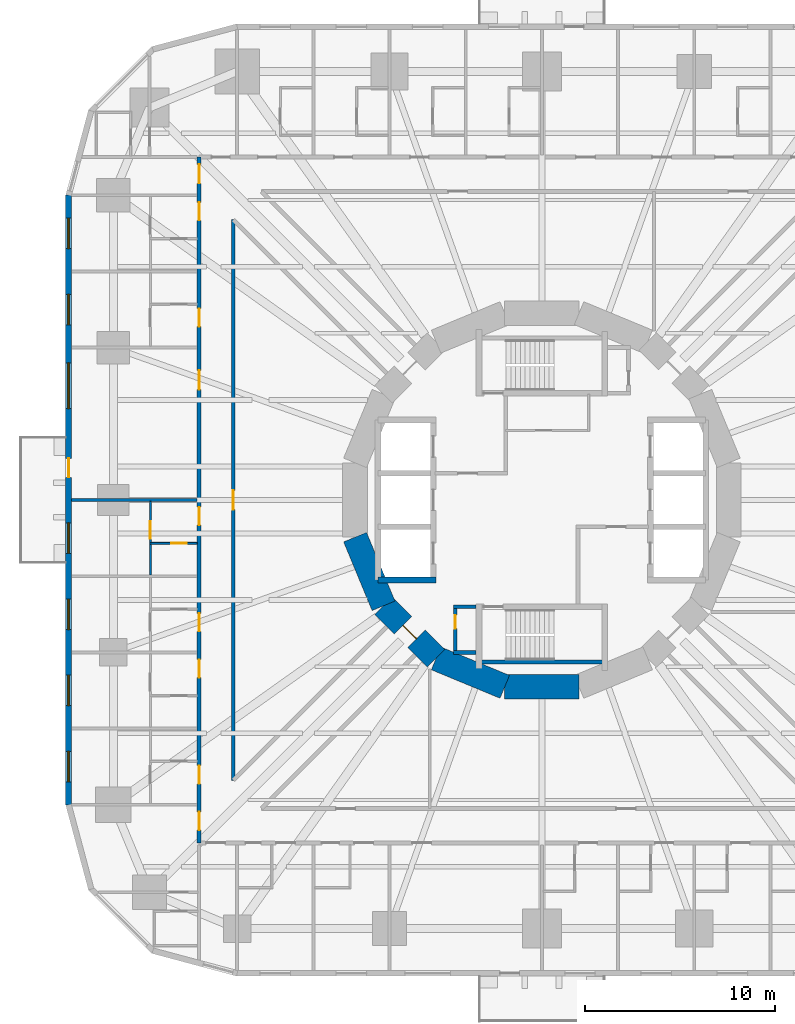
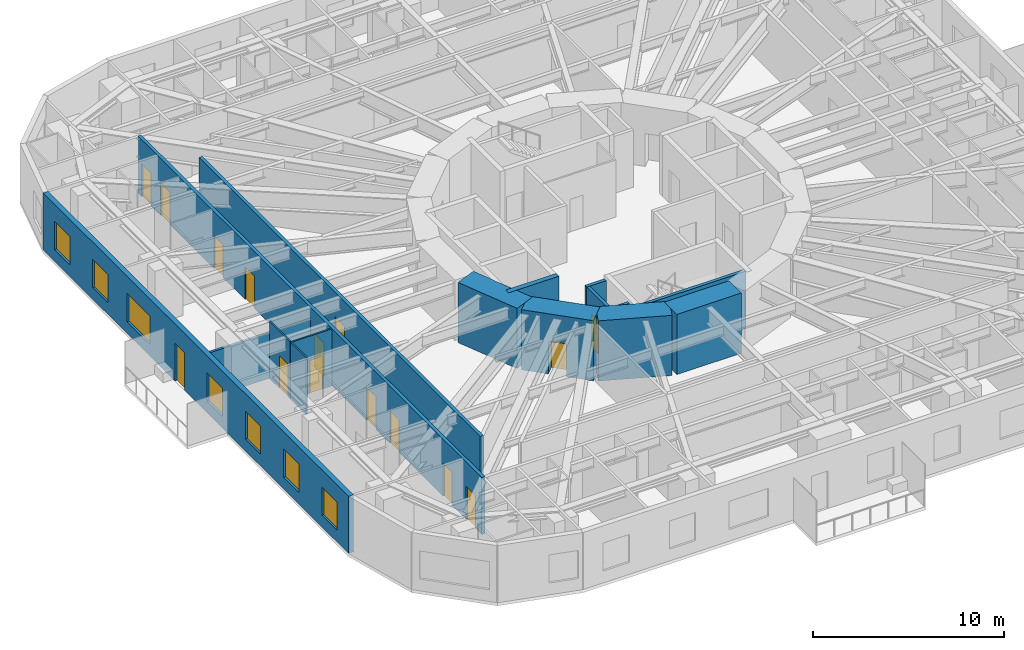
# One storey, part 6 of 14: 16 walls, 15 doors, 7 windows, 22 openings.
"""IFC4 building model written with IfcOpenShell, lengths in metres."""

from ifc_helpers import new_model, si_unit, direction, frame, frame_2d, origin, place, context, subcontext, project, spatial, rectangle, extrude, material, layer, layer_set, type_object, element, fill, save


model = new_model("IFC4")

# Units and contexts
model_context = context("Model", 3, precision=1e-05, world=origin(), true_north=direction((0.0, 1.0)))
body_context = subcontext(model_context, "Body", "Model", "MODEL_VIEW")
ifc_project = project(units=[si_unit("LENGTHUNIT", "METRE"), si_unit("AREAUNIT", "SQUARE_METRE"), si_unit("VOLUMEUNIT", "CUBIC_METRE"), si_unit("PLANEANGLEUNIT", "RADIAN"), si_unit("MASSUNIT", "GRAM", prefix="KILO")], contexts=[model_context])

# Site, building, storey
site_placement = place(None, origin())
site = spatial("IfcSite", under=ifc_project, at=site_placement, CompositionType="ELEMENT")
building_placement = place(site_placement, origin())
building = spatial("IfcBuilding", under=site, at=building_placement, Name="Nakasero Lantern House", CompositionType="ELEMENT")
storey_placement = place(building_placement, frame((0.0, 0.0, 50.64990234375)))
storey = spatial("IfcBuildingStorey", under=building, at=storey_placement, Name="L12", CompositionType="ELEMENT", Elevation=50.64990234375)

# Walls
ifc_material_1 = material(Name="Concrete C50/60", Category="concrete")
ifc_layer_1 = layer(ifc_material_1, 0.300048828125)
ifc_layer_set_1 = layer_set([ifc_layer_1], Name="Core inner wall 300")
wall_type_1 = type_object("IfcWallType", Name="Core inner wall 300", PredefinedType="SHEAR", material=ifc_layer_set_1)
wall_1_placement = place(storey_placement, frame((-8.60009765625, -4.199951171875, 0.0), z_axis=(0.0, 0.0, 1.0), x_axis=(1.0, 0.0, 0.0)))
element("IfcWall", 1, at=wall_1_placement, inside=storey, type_object=wall_type_1, Name="Core inner wall L12 LWS", PredefinedType="SHEAR", context=body_context, shape_type="SweptSolid", body=[
    extrude(rectangle(XDim=3.050048828125, YDim=0.300048828125, at=frame_2d((1.52490234375, 0.0))), origin(), (0.0, 0.0, 1.0), 3.85009765625),
])
ifc_material_2 = material(Name="Concrete C50/60", Category="concrete")
ifc_layer_2 = layer(ifc_material_2, 1.300048828125)
ifc_layer_set_2 = layer_set([ifc_layer_2], Name="Core wall 1300")
wall_type_2 = type_object("IfcWallType", Name="Core wall 1300", PredefinedType="SHEAR", material=ifc_layer_set_2)
wall_2_placement = place(storey_placement, frame((-9.807861328125, -1.950927734375, 0.0), z_axis=(0.0, 0.0, 1.0), x_axis=(0.382690736062, -0.923876507187, 0.0)))
element("IfcWall", 2, at=wall_2_placement, inside=storey, type_object=wall_type_2, Name="Core wall L12 facet 9", PredefinedType="SHEAR", context=body_context, shape_type="SweptSolid", body=[
    extrude(rectangle(XDim=3.90185546875, YDim=1.300048828125, at=frame_2d((1.950927734375, 0.0))), origin(), (0.0, 0.0, 1.0), 3.85009765625),
])

# Wall, opening, door
wall_3_placement = place(storey_placement, frame((-8.314697265625, -5.5556640625, 0.0), z_axis=(0.0, 0.0, 1.0), x_axis=(0.707106781187, -0.707106781187, 0.0)))
wall_3 = element("IfcWall", 3, at=wall_3_placement, inside=storey, type_object=wall_type_2, Name="Core wall L12 facet 10", PredefinedType="SHEAR", context=body_context, shape_type="SweptSolid", body=[
    extrude(rectangle(XDim=3.90185546875, YDim=1.300048828125, at=frame_2d((1.950927734375, 0.0))), origin(), (0.0, 0.0, 1.0), 3.85009765625),
])
opening_1_placement = place(wall_3_placement, frame((1.450927734375, 0.0, 0.0)))
opening_1 = element("IfcOpeningElement", 4, at=opening_1_placement, cuts=wall_3, Name="Opening D05", PredefinedType="OPENING", context=body_context, shape_type="SweptSolid", body=[
    extrude(rectangle(XDim=1.0, YDim=2.10009765625, at=frame_2d((0.5, 1.050048828125))), frame((0.0, 0.669921875, 0.0), z_axis=(0.0, -1.0, 0.0), x_axis=(1.0, 0.0, 0.0)), (0.0, 0.0, 1.0), 1.340087890625),
])
ifc_material_3 = material(Name="Timber C24", Category="wood")
door_type_1 = type_object("IfcDoorType", Name="Core door FD60S 1000", OperationType="SINGLE_SWING_LEFT", PredefinedType="DOOR", material=ifc_material_3)
door_1_placement = place(opening_1_placement, origin())
door_1 = element("IfcDoor", 5, at=door_1_placement, inside=storey, type_object=door_type_1, Name="Door L12 D-CORE10", OperationType="SINGLE_SWING_LEFT", OverallHeight=2.10009765625, OverallWidth=1.0, PredefinedType="DOOR", context=body_context, shape_type="SweptSolid", body=[
    extrude(rectangle(XDim=1.0, YDim=2.10009765625, at=frame_2d((0.5, 1.050048828125))), frame((0.0, 0.02490234375, 0.0), z_axis=(0.0, -1.0, 0.0), x_axis=(1.0, 0.0, 0.0)), (0.0, 0.0, 1.0), 0.050048828125),
])
fill(opening_1, door_1)

# Walls
for number, where, z_axis, x_axis, name in (
    (6, (-5.5556640625, -8.314697265625, 0.0), (0.0, 0.0, 1.0), (0.923876507187, -0.382690736062, 0.0), "Core wall L12 facet 11"),
    (7, (-1.950927734375, -9.807861328125, 0.0), (0.0, 0.0, 1.0), (1.0, 0.0, 0.0), "Core wall L12 facet 12"),
):
    element("IfcWall", number, at=place(storey_placement, frame(where, z_axis=z_axis, x_axis=x_axis)), inside=storey, type_object=wall_type_2, Name=name, PredefinedType="SHEAR", context=body_context, shape_type="SweptSolid", body=[
        extrude(rectangle(XDim=3.90185546875, YDim=1.300048828125, at=frame_2d((1.950927734375, 0.0))), origin(), (0.0, 0.0, 1.0), 3.85009765625),
    ])

# Wall, openings, doors
ifc_material_4 = material(Name="Blockwork", Category="masonry")
ifc_layer_3 = layer(ifc_material_4, 0.199951171875)
ifc_layer_set_3 = layer_set([ifc_layer_3], Name="Corridor wall 200")
wall_type_3 = type_object("IfcWallType", Name="Corridor wall 200", PredefinedType="PARTITIONING", material=ifc_layer_set_3)
wall_4_placement = place(storey_placement, frame((-18.0, 18.0, 0.0), z_axis=(0.0, 0.0, 1.0), x_axis=(0.0, -1.0, 0.0)))
wall_4 = element("IfcWall", 8, at=wall_4_placement, inside=storey, type_object=wall_type_3, Name="Corridor wall L12 CW2", PredefinedType="PARTITIONING", context=body_context, shape_type="SweptSolid", body=[
    extrude(rectangle(XDim=36.0, YDim=0.199951171875, at=frame_2d((18.0, 0.0))), origin(), (0.0, 0.0, 1.0), 3.650146484375),
])
opening_2_placement = place(wall_4_placement, frame((0.375, 0.0, 0.0)))
opening_2 = element("IfcOpeningElement", 9, at=opening_2_placement, cuts=wall_4, Name="Opening D07", PredefinedType="OPENING", context=body_context, shape_type="SweptSolid", body=[
    extrude(rectangle(XDim=1.0, YDim=2.10009765625, at=frame_2d((0.5, 1.050048828125))), frame((0.0, 0.119873046875, 0.0), z_axis=(0.0, -1.0, 0.0), x_axis=(1.0, 0.0, 0.0)), (0.0, 0.0, 1.0), 0.239990234375),
])
opening_3_placement = place(wall_4_placement, frame((2.375, 0.0, 0.0)))
opening_3 = element("IfcOpeningElement", 10, at=opening_3_placement, cuts=wall_4, Name="Opening D01", PredefinedType="OPENING", context=body_context, shape_type="SweptSolid", body=[
    extrude(rectangle(XDim=0.949951171875, YDim=2.10009765625, at=frame_2d((0.47509765625, 1.050048828125))), frame((0.0, 0.119873046875, 0.0), z_axis=(0.0, -1.0, 0.0), x_axis=(1.0, 0.0, 0.0)), (0.0, 0.0, 1.0), 0.239990234375),
])
opening_4_placement = place(wall_4_placement, frame((7.949951171875, 0.0, 0.0)))
opening_4 = element("IfcOpeningElement", 11, at=opening_4_placement, cuts=wall_4, Name="Opening D01", PredefinedType="OPENING", context=body_context, shape_type="SweptSolid", body=[
    extrude(rectangle(XDim=0.949951171875, YDim=2.10009765625, at=frame_2d((0.47509765625, 1.050048828125))), frame((0.0, 0.119873046875, 0.0), z_axis=(0.0, -1.0, 0.0), x_axis=(1.0, 0.0, 0.0)), (0.0, 0.0, 1.0), 0.239990234375),
])
opening_5_placement = place(wall_4_placement, frame((18.375, 0.0, 0.0)))
opening_5 = element("IfcOpeningElement", 12, at=opening_5_placement, cuts=wall_4, Name="Opening D01", PredefinedType="OPENING", context=body_context, shape_type="SweptSolid", body=[
    extrude(rectangle(XDim=0.949951171875, YDim=2.10009765625, at=frame_2d((0.47509765625, 1.050048828125))), frame((0.0, 0.119873046875, 0.0), z_axis=(0.0, -1.0, 0.0), x_axis=(1.0, 0.0, 0.0)), (0.0, 0.0, 1.0), 0.239990234375),
])
opening_6_placement = place(wall_4_placement, frame((23.949951171875, 0.0, 0.0)))
opening_6 = element("IfcOpeningElement", 13, at=opening_6_placement, cuts=wall_4, Name="Opening D01", PredefinedType="OPENING", context=body_context, shape_type="SweptSolid", body=[
    extrude(rectangle(XDim=0.949951171875, YDim=2.10009765625, at=frame_2d((0.47509765625, 1.050048828125))), frame((0.0, 0.119873046875, 0.0), z_axis=(0.0, -1.0, 0.0), x_axis=(1.0, 0.0, 0.0)), (0.0, 0.0, 1.0), 0.239990234375),
])
opening_7_placement = place(wall_4_placement, frame((26.375, 0.0, 0.0)))
opening_7 = element("IfcOpeningElement", 14, at=opening_7_placement, cuts=wall_4, Name="Opening D01", PredefinedType="OPENING", context=body_context, shape_type="SweptSolid", body=[
    extrude(rectangle(XDim=0.949951171875, YDim=2.10009765625, at=frame_2d((0.47509765625, 1.050048828125))), frame((0.0, 0.119873046875, 0.0), z_axis=(0.0, -1.0, 0.0), x_axis=(1.0, 0.0, 0.0)), (0.0, 0.0, 1.0), 0.239990234375),
])
opening_8_placement = place(wall_4_placement, frame((31.949951171875, 0.0, 0.0)))
opening_8 = element("IfcOpeningElement", 15, at=opening_8_placement, cuts=wall_4, Name="Opening D01", PredefinedType="OPENING", context=body_context, shape_type="SweptSolid", body=[
    extrude(rectangle(XDim=0.949951171875, YDim=2.10009765625, at=frame_2d((0.47509765625, 1.050048828125))), frame((0.0, 0.119873046875, 0.0), z_axis=(0.0, -1.0, 0.0), x_axis=(1.0, 0.0, 0.0)), (0.0, 0.0, 1.0), 0.239990234375),
])
opening_9_placement = place(wall_4_placement, frame((34.375, 0.0, 0.0)))
opening_9 = element("IfcOpeningElement", 16, at=opening_9_placement, cuts=wall_4, Name="Opening D01", PredefinedType="OPENING", context=body_context, shape_type="SweptSolid", body=[
    extrude(rectangle(XDim=0.949951171875, YDim=2.10009765625, at=frame_2d((0.47509765625, 1.050048828125))), frame((0.0, 0.119873046875, 0.0), z_axis=(0.0, -1.0, 0.0), x_axis=(1.0, 0.0, 0.0)), (0.0, 0.0, 1.0), 0.239990234375),
])
opening_10_placement = place(wall_4_placement, frame((11.199951171875, 0.0, 0.0)))
opening_10 = element("IfcOpeningElement", 17, at=opening_10_placement, cuts=wall_4, Name="Opening D03", PredefinedType="OPENING", context=body_context, shape_type="SweptSolid", body=[
    extrude(rectangle(XDim=1.0, YDim=2.10009765625, at=frame_2d((0.5, 1.050048828125))), frame((0.0, 0.119873046875, 0.0), z_axis=(0.0, -1.0, 0.0), x_axis=(1.0, 0.0, 0.0)), (0.0, 0.0, 1.0), 0.239990234375),
])
ifc_material_5 = material(Name="Timber C24", Category="wood")
door_type_2 = type_object("IfcDoorType", Name="Bedroom door FD30S 950", OperationType="SINGLE_SWING_LEFT", PredefinedType="DOOR", material=ifc_material_5)
door_2_placement = place(opening_3_placement, origin())
door_2 = element("IfcDoor", 18, at=door_2_placement, inside=storey, type_object=door_type_2, Name="Door L12 D2-01", OperationType="SINGLE_SWING_LEFT", OverallHeight=2.10009765625, OverallWidth=0.949951171875, PredefinedType="DOOR", context=body_context, shape_type="SweptSolid", body=[
    extrude(rectangle(XDim=0.949951171875, YDim=2.10009765625, at=frame_2d((0.47509765625, 1.050048828125))), frame((0.0, 0.02490234375, 0.0), z_axis=(0.0, -1.0, 0.0), x_axis=(1.0, 0.0, 0.0)), (0.0, 0.0, 1.0), 0.050048828125),
])
fill(opening_3, door_2)
door_3_placement = place(opening_4_placement, origin())
door_3 = element("IfcDoor", 19, at=door_3_placement, inside=storey, type_object=door_type_2, Name="Door L12 D2-02", OperationType="SINGLE_SWING_LEFT", OverallHeight=2.10009765625, OverallWidth=0.949951171875, PredefinedType="DOOR", context=body_context, shape_type="SweptSolid", body=[
    extrude(rectangle(XDim=0.949951171875, YDim=2.10009765625, at=frame_2d((0.47509765625, 1.050048828125))), frame((0.0, 0.02490234375, 0.0), z_axis=(0.0, -1.0, 0.0), x_axis=(1.0, 0.0, 0.0)), (0.0, 0.0, 1.0), 0.050048828125),
])
fill(opening_4, door_3)
door_4_placement = place(opening_5_placement, origin())
door_4 = element("IfcDoor", 20, at=door_4_placement, inside=storey, type_object=door_type_2, Name="Door L12 D2-05", OperationType="SINGLE_SWING_RIGHT", OverallHeight=2.10009765625, OverallWidth=0.949951171875, PredefinedType="DOOR", context=body_context, shape_type="SweptSolid", body=[
    extrude(rectangle(XDim=0.949951171875, YDim=2.10009765625, at=frame_2d((0.47509765625, 1.050048828125))), frame((0.0, 0.02490234375, 0.0), z_axis=(0.0, -1.0, 0.0), x_axis=(1.0, 0.0, 0.0)), (0.0, 0.0, 1.0), 0.050048828125),
])
fill(opening_5, door_4)
door_5_placement = place(opening_6_placement, origin())
door_5 = element("IfcDoor", 21, at=door_5_placement, inside=storey, type_object=door_type_2, Name="Door L12 D2-06", OperationType="SINGLE_SWING_RIGHT", OverallHeight=2.10009765625, OverallWidth=0.949951171875, PredefinedType="DOOR", context=body_context, shape_type="SweptSolid", body=[
    extrude(rectangle(XDim=0.949951171875, YDim=2.10009765625, at=frame_2d((0.47509765625, 1.050048828125))), frame((0.0, 0.02490234375, 0.0), z_axis=(0.0, -1.0, 0.0), x_axis=(1.0, 0.0, 0.0)), (0.0, 0.0, 1.0), 0.050048828125),
])
fill(opening_6, door_5)
door_6_placement = place(opening_7_placement, origin())
door_6 = element("IfcDoor", 22, at=door_6_placement, inside=storey, type_object=door_type_2, Name="Door L12 D2-07", OperationType="SINGLE_SWING_RIGHT", OverallHeight=2.10009765625, OverallWidth=0.949951171875, PredefinedType="DOOR", context=body_context, shape_type="SweptSolid", body=[
    extrude(rectangle(XDim=0.949951171875, YDim=2.10009765625, at=frame_2d((0.47509765625, 1.050048828125))), frame((0.0, 0.02490234375, 0.0), z_axis=(0.0, -1.0, 0.0), x_axis=(1.0, 0.0, 0.0)), (0.0, 0.0, 1.0), 0.050048828125),
])
fill(opening_7, door_6)
door_7_placement = place(opening_8_placement, origin())
door_7 = element("IfcDoor", 23, at=door_7_placement, inside=storey, type_object=door_type_2, Name="Door L12 D2-08", OperationType="SINGLE_SWING_RIGHT", OverallHeight=2.10009765625, OverallWidth=0.949951171875, PredefinedType="DOOR", context=body_context, shape_type="SweptSolid", body=[
    extrude(rectangle(XDim=0.949951171875, YDim=2.10009765625, at=frame_2d((0.47509765625, 1.050048828125))), frame((0.0, 0.02490234375, 0.0), z_axis=(0.0, -1.0, 0.0), x_axis=(1.0, 0.0, 0.0)), (0.0, 0.0, 1.0), 0.050048828125),
])
fill(opening_8, door_7)
door_8_placement = place(opening_9_placement, origin())
door_8 = element("IfcDoor", 24, at=door_8_placement, inside=storey, type_object=door_type_2, Name="Door L12 D2-09", OperationType="SINGLE_SWING_RIGHT", OverallHeight=2.10009765625, OverallWidth=0.949951171875, PredefinedType="DOOR", context=body_context, shape_type="SweptSolid", body=[
    extrude(rectangle(XDim=0.949951171875, YDim=2.10009765625, at=frame_2d((0.47509765625, 1.050048828125))), frame((0.0, 0.02490234375, 0.0), z_axis=(0.0, -1.0, 0.0), x_axis=(1.0, 0.0, 0.0)), (0.0, 0.0, 1.0), 0.050048828125),
])
fill(opening_9, door_8)
ifc_material_6 = material(Name="Timber C24", Category="wood")
door_type_3 = type_object("IfcDoorType", Name="Lounge door FD30S 1000", OperationType="SINGLE_SWING_LEFT", PredefinedType="DOOR", material=ifc_material_6)
door_9_placement = place(opening_10_placement, origin())
door_9 = element("IfcDoor", 25, at=door_9_placement, inside=storey, type_object=door_type_3, Name="Door L12 DK2", OperationType="SINGLE_SWING_LEFT", OverallHeight=2.10009765625, OverallWidth=1.0, PredefinedType="DOOR", context=body_context, shape_type="SweptSolid", body=[
    extrude(rectangle(XDim=1.0, YDim=2.10009765625, at=frame_2d((0.5, 1.050048828125))), frame((0.0, 0.02490234375, 0.0), z_axis=(0.0, -1.0, 0.0), x_axis=(1.0, 0.0, 0.0)), (0.0, 0.0, 1.0), 0.050048828125),
])
fill(opening_10, door_9)
ifc_material_7 = material(Name="Timber C24", Category="wood")
door_type_4 = type_object("IfcDoorType", Name="Room door FD30S 1000", OperationType="SINGLE_SWING_LEFT", PredefinedType="DOOR", material=ifc_material_7)
door_10_placement = place(opening_2_placement, origin())
door_10 = element("IfcDoor", 26, at=door_10_placement, inside=storey, type_object=door_type_4, Name="Door L12 D2-00", OperationType="SINGLE_SWING_LEFT", OverallHeight=2.10009765625, OverallWidth=1.0, PredefinedType="DOOR", context=body_context, shape_type="SweptSolid", body=[
    extrude(rectangle(XDim=1.0, YDim=2.10009765625, at=frame_2d((0.5, 1.050048828125))), frame((0.0, 0.02490234375, 0.0), z_axis=(0.0, -1.0, 0.0), x_axis=(1.0, 0.0, 0.0)), (0.0, 0.0, 1.0), 0.050048828125),
])
fill(opening_2, door_10)

# Wall, opening, door
wall_5_placement = place(storey_placement, frame((-16.199951171875, 14.715087890625, 0.0), z_axis=(0.0, 0.0, 1.0), x_axis=(0.0, -1.0, 0.0)))
wall_5 = element("IfcWall", 27, at=wall_5_placement, inside=storey, type_object=wall_type_3, Name="Corridor wall L12 IW2-0", PredefinedType="PARTITIONING", context=body_context, shape_type="SweptSolid", body=[
    extrude(rectangle(XDim=29.43017578125, YDim=0.199951171875, at=frame_2d((14.715087890625, 0.0))), origin(), (0.0, 0.0, 1.0), 3.650146484375),
])
opening_11_placement = place(wall_5_placement, frame((14.215087890625, 0.0, 0.0)))
opening_11 = element("IfcOpeningElement", 28, at=opening_11_placement, cuts=wall_5, Name="Opening D07", PredefinedType="OPENING", context=body_context, shape_type="SweptSolid", body=[
    extrude(rectangle(XDim=1.0, YDim=2.10009765625, at=frame_2d((0.5, 1.050048828125))), frame((0.0, 0.119873046875, 0.0), z_axis=(0.0, -1.0, 0.0), x_axis=(1.0, 0.0, 0.0)), (0.0, 0.0, 1.0), 0.239990234375),
])
door_11_placement = place(opening_11_placement, origin())
door_11 = element("IfcDoor", 29, at=door_11_placement, inside=storey, type_object=door_type_4, Name="Door L12 DI3", OperationType="SINGLE_SWING_LEFT", OverallHeight=2.10009765625, OverallWidth=1.0, PredefinedType="DOOR", context=body_context, shape_type="SweptSolid", body=[
    extrude(rectangle(XDim=1.0, YDim=2.10009765625, at=frame_2d((0.5, 1.050048828125))), frame((0.0, 0.02490234375, 0.0), z_axis=(0.0, -1.0, 0.0), x_axis=(1.0, 0.0, 0.0)), (0.0, 0.0, 1.0), 0.050048828125),
])
fill(opening_11, door_11)

ifc_material_8 = material(Name="Blockwork", Category="masonry")
ifc_layer_4 = layer(ifc_material_8, 0.10009765625)
ifc_layer_set_4 = layer_set([ifc_layer_4], Name="En-suite wall 100")
wall_type_4 = type_object("IfcWallType", Name="En-suite wall 100", PredefinedType="PARTITIONING", material=ifc_layer_set_4)
wall_6_placement = place(storey_placement, frame((-18.10009765625, -2.27490234375, 0.0), z_axis=(0.0, 0.0, 1.0), x_axis=(-1.0, 0.0, 0.0)))
wall_6 = element("IfcWall", 30, at=wall_6_placement, inside=storey, type_object=wall_type_4, Name="En-suite wall L12 ES2-05", PredefinedType="PARTITIONING", context=body_context, shape_type="SweptSolid", body=[
    extrude(rectangle(XDim=2.5, YDim=0.10009765625, at=frame_2d((1.25, 0.0))), origin(), (0.0, 0.0, 1.0), 3.650146484375),
])
opening_12_placement = place(wall_6_placement, frame((0.550048828125, 0.0, 0.0)))
opening_12 = element("IfcOpeningElement", 31, at=opening_12_placement, cuts=wall_6, Name="Opening D02", PredefinedType="OPENING", context=body_context, shape_type="SweptSolid", body=[
    extrude(rectangle(XDim=0.800048828125, YDim=2.10009765625, at=frame_2d((0.39990234375, 1.050048828125))), frame((0.0, 0.070068359375, 0.0), z_axis=(0.0, -1.0, 0.0), x_axis=(1.0, 0.0, 0.0)), (0.0, 0.0, 1.0), 0.14013671875),
])
ifc_material_9 = material(Name="Timber C24", Category="wood")
door_type_5 = type_object("IfcDoorType", Name="En-suite door 800", OperationType="SINGLE_SWING_RIGHT", PredefinedType="DOOR", material=ifc_material_9)
door_12_placement = place(opening_12_placement, origin())
door_12 = element("IfcDoor", 32, at=door_12_placement, inside=storey, type_object=door_type_5, Name="Door L12 DE2-05", OperationType="SINGLE_SWING_LEFT", OverallHeight=2.10009765625, OverallWidth=0.800048828125, PredefinedType="DOOR", context=body_context, shape_type="SweptSolid", body=[
    extrude(rectangle(XDim=0.800048828125, YDim=2.10009765625, at=frame_2d((0.39990234375, 1.050048828125))), frame((0.0, 0.02490234375, 0.0), z_axis=(0.0, -1.0, 0.0), x_axis=(1.0, 0.0, 0.0)), (0.0, 0.0, 1.0), 0.050048828125),
])
fill(opening_12, door_12)

# Wall
wall_7_placement = place(storey_placement, frame((-20.550048828125, -2.324951171875, 0.0), z_axis=(0.0, 0.0, 1.0), x_axis=(0.0, -1.0, 0.0)))
element("IfcWall", 33, at=wall_7_placement, inside=storey, type_object=wall_type_4, Name="En-suite wall L12 EE2-05", PredefinedType="PARTITIONING", context=body_context, shape_type="SweptSolid", body=[
    extrude(rectangle(XDim=1.60009765625, YDim=0.10009765625, at=frame_2d((0.800048828125, 0.0))), origin(), (0.0, 0.0, 1.0), 3.650146484375),
])

# Wall, opening, door
wall_8_placement = place(storey_placement, frame((-20.550048828125, -0.074951171875, 0.0), z_axis=(0.0, 0.0, 1.0), x_axis=(0.0, -1.0, 0.0)))
wall_8 = element("IfcWall", 34, at=wall_8_placement, inside=storey, type_object=wall_type_4, Name="En-suite wall L12 EL2-05", PredefinedType="PARTITIONING", context=body_context, shape_type="SweptSolid", body=[
    extrude(rectangle(XDim=2.150146484375, YDim=0.10009765625, at=frame_2d((1.0751953125, 0.0))), origin(), (0.0, 0.0, 1.0), 3.650146484375),
])
opening_13_placement = place(wall_8_placement, frame((1.050048828125, 0.0, 0.0)))
opening_13 = element("IfcOpeningElement", 35, at=opening_13_placement, cuts=wall_8, Name="Opening D17", PredefinedType="OPENING", context=body_context, shape_type="SweptSolid", body=[
    extrude(rectangle(XDim=0.89990234375, YDim=2.10009765625, at=frame_2d((0.449951171875, 1.050048828125))), frame((0.0, 0.070068359375, 0.0), z_axis=(0.0, -1.0, 0.0), x_axis=(1.0, 0.0, 0.0)), (0.0, 0.0, 1.0), 0.14013671875),
])
ifc_material_10 = material(Name="Timber C24", Category="wood")
door_type_6 = type_object("IfcDoorType", Name="Bedroom door FD30S 900", OperationType="SINGLE_SWING_LEFT", PredefinedType="DOOR", material=ifc_material_10)
door_13_placement = place(opening_13_placement, origin())
door_13 = element("IfcDoor", 36, at=door_13_placement, inside=storey, type_object=door_type_6, Name="Door L12 DL2-05", OperationType="SINGLE_SWING_RIGHT", OverallHeight=2.10009765625, OverallWidth=0.89990234375, PredefinedType="DOOR", context=body_context, shape_type="SweptSolid", body=[
    extrude(rectangle(XDim=0.89990234375, YDim=2.10009765625, at=frame_2d((0.449951171875, 1.050048828125))), frame((0.0, 0.02490234375, 0.0), z_axis=(0.0, -1.0, 0.0), x_axis=(1.0, 0.0, 0.0)), (0.0, 0.0, 1.0), 0.050048828125),
])
fill(opening_13, door_13)

# Wall, openings, door, windows
ifc_material_11 = material(Name="Aluminium rainscreen on blockwork", Category="masonry")
ifc_layer_5 = layer(ifc_material_11, 0.300048828125)
ifc_layer_set_5 = layer_set([ifc_layer_5], Name="Facade wall 300")
wall_type_5 = type_object("IfcWallType", Name="Facade wall 300", PredefinedType="SOLIDWALL", material=ifc_layer_set_5)
wall_9_placement = place(storey_placement, frame((-24.85009765625, 16.0, 0.0), z_axis=(0.0, 0.0, 1.0), x_axis=(0.0, -1.0, 0.0)))
wall_9 = element("IfcWall", 37, at=wall_9_placement, inside=storey, type_object=wall_type_5, Name="Facade wall L12 FW2S", PredefinedType="SOLIDWALL", context=body_context, shape_type="SweptSolid", body=[
    extrude(rectangle(XDim=32.0, YDim=0.300048828125, at=frame_2d((16.0, 0.0))), origin(), (0.0, 0.0, 1.0), 3.650146484375),
])
opening_14_placement = place(wall_9_placement, frame((1.199951171875, 0.0, 0.75)))
opening_14 = element("IfcOpeningElement", 38, at=opening_14_placement, cuts=wall_9, Name="Opening W01", PredefinedType="OPENING", context=body_context, shape_type="SweptSolid", body=[
    extrude(rectangle(XDim=1.60009765625, YDim=1.800048828125, at=frame_2d((0.800048828125, 0.89990234375))), frame((0.0, 0.169921875, 0.0), z_axis=(0.0, -1.0, 0.0), x_axis=(1.0, 0.0, 0.0)), (0.0, 0.0, 1.0), 0.340087890625),
])
opening_15_placement = place(wall_9_placement, frame((5.199951171875, 0.0, 0.75)))
opening_15 = element("IfcOpeningElement", 39, at=opening_15_placement, cuts=wall_9, Name="Opening W01", PredefinedType="OPENING", context=body_context, shape_type="SweptSolid", body=[
    extrude(rectangle(XDim=1.60009765625, YDim=1.800048828125, at=frame_2d((0.800048828125, 0.89990234375))), frame((0.0, 0.169921875, 0.0), z_axis=(0.0, -1.0, 0.0), x_axis=(1.0, 0.0, 0.0)), (0.0, 0.0, 1.0), 0.340087890625),
])
opening_16_placement = place(wall_9_placement, frame((17.199951171875, 0.0, 0.75)))
opening_16 = element("IfcOpeningElement", 40, at=opening_16_placement, cuts=wall_9, Name="Opening W01", PredefinedType="OPENING", context=body_context, shape_type="SweptSolid", body=[
    extrude(rectangle(XDim=1.60009765625, YDim=1.800048828125, at=frame_2d((0.800048828125, 0.89990234375))), frame((0.0, 0.169921875, 0.0), z_axis=(0.0, -1.0, 0.0), x_axis=(1.0, 0.0, 0.0)), (0.0, 0.0, 1.0), 0.340087890625),
])
opening_17_placement = place(wall_9_placement, frame((21.199951171875, 0.0, 0.75)))
opening_17 = element("IfcOpeningElement", 41, at=opening_17_placement, cuts=wall_9, Name="Opening W01", PredefinedType="OPENING", context=body_context, shape_type="SweptSolid", body=[
    extrude(rectangle(XDim=1.60009765625, YDim=1.800048828125, at=frame_2d((0.800048828125, 0.89990234375))), frame((0.0, 0.169921875, 0.0), z_axis=(0.0, -1.0, 0.0), x_axis=(1.0, 0.0, 0.0)), (0.0, 0.0, 1.0), 0.340087890625),
])
opening_18_placement = place(wall_9_placement, frame((25.199951171875, 0.0, 0.75)))
opening_18 = element("IfcOpeningElement", 42, at=opening_18_placement, cuts=wall_9, Name="Opening W01", PredefinedType="OPENING", context=body_context, shape_type="SweptSolid", body=[
    extrude(rectangle(XDim=1.60009765625, YDim=1.800048828125, at=frame_2d((0.800048828125, 0.89990234375))), frame((0.0, 0.169921875, 0.0), z_axis=(0.0, -1.0, 0.0), x_axis=(1.0, 0.0, 0.0)), (0.0, 0.0, 1.0), 0.340087890625),
])
opening_19_placement = place(wall_9_placement, frame((29.199951171875, 0.0, 0.75)))
opening_19 = element("IfcOpeningElement", 43, at=opening_19_placement, cuts=wall_9, Name="Opening W01", PredefinedType="OPENING", context=body_context, shape_type="SweptSolid", body=[
    extrude(rectangle(XDim=1.60009765625, YDim=1.800048828125, at=frame_2d((0.800048828125, 0.89990234375))), frame((0.0, 0.169921875, 0.0), z_axis=(0.0, -1.0, 0.0), x_axis=(1.0, 0.0, 0.0)), (0.0, 0.0, 1.0), 0.340087890625),
])
opening_20_placement = place(wall_9_placement, frame((8.800048828125, 0.0, 0.75)))
opening_20 = element("IfcOpeningElement", 44, at=opening_20_placement, cuts=wall_9, Name="Opening W03", PredefinedType="OPENING", context=body_context, shape_type="SweptSolid", body=[
    extrude(rectangle(XDim=2.39990234375, YDim=1.800048828125, at=frame_2d((1.199951171875, 0.89990234375))), frame((0.0, 0.169921875, 0.0), z_axis=(0.0, -1.0, 0.0), x_axis=(1.0, 0.0, 0.0)), (0.0, 0.0, 1.0), 0.340087890625),
])
opening_21_placement = place(wall_9_placement, frame((13.8125, 0.0, 0.0)))
opening_21 = element("IfcOpeningElement", 45, at=opening_21_placement, cuts=wall_9, Name="Opening D04", PredefinedType="OPENING", context=body_context, shape_type="SweptSolid", body=[
    extrude(rectangle(XDim=1.0, YDim=2.39990234375, at=frame_2d((0.5, 1.199951171875))), frame((0.0, 0.169921875, 0.0), z_axis=(0.0, -1.0, 0.0), x_axis=(1.0, 0.0, 0.0)), (0.0, 0.0, 1.0), 0.340087890625),
])
ifc_material_12 = material(Name="Aluminium 6063-T6 and glass", Category="aluminium")
door_type_7 = type_object("IfcDoorType", Name="Balcony door 1000x2400", OperationType="SINGLE_SWING_RIGHT", PredefinedType="DOOR", material=ifc_material_12)
door_14_placement = place(opening_21_placement, origin())
door_14 = element("IfcDoor", 46, at=door_14_placement, inside=storey, type_object=door_type_7, Name="Balcony door L12 DB2", OperationType="SINGLE_SWING_RIGHT", OverallHeight=2.39990234375, OverallWidth=1.0, PredefinedType="DOOR", context=body_context, shape_type="SweptSolid", body=[
    extrude(rectangle(XDim=1.0, YDim=2.39990234375, at=frame_2d((0.5, 1.199951171875))), frame((0.0, 0.02490234375, 0.0), z_axis=(0.0, -1.0, 0.0), x_axis=(1.0, 0.0, 0.0)), (0.0, 0.0, 1.0), 0.050048828125),
])
fill(opening_21, door_14)
ifc_material_13 = material(Name="Aluminium 6063-T6 and glass", Category="aluminium")
window_type_1 = type_object("IfcWindowType", Name="Bedroom window 1600x1800", PartitioningType="SINGLE_PANEL", PredefinedType="WINDOW", material=ifc_material_13)
window_1_placement = place(opening_14_placement, origin())
window_1 = element("IfcWindow", 47, at=window_1_placement, inside=storey, type_object=window_type_1, Name="Window L12 WN2-01", OverallHeight=1.800048828125, OverallWidth=1.60009765625, PartitioningType="SINGLE_PANEL", PredefinedType="WINDOW", context=body_context, shape_type="SweptSolid", body=[
    extrude(rectangle(XDim=1.60009765625, YDim=1.800048828125, at=frame_2d((0.800048828125, 0.89990234375))), frame((0.0, 0.030029296875, 0.0), z_axis=(0.0, -1.0, 0.0), x_axis=(1.0, 0.0, 0.0)), (0.0, 0.0, 1.0), 0.06005859375),
])
fill(opening_14, window_1)
window_2_placement = place(opening_15_placement, origin())
window_2 = element("IfcWindow", 48, at=window_2_placement, inside=storey, type_object=window_type_1, Name="Window L12 WN2-02", OverallHeight=1.800048828125, OverallWidth=1.60009765625, PartitioningType="SINGLE_PANEL", PredefinedType="WINDOW", context=body_context, shape_type="SweptSolid", body=[
    extrude(rectangle(XDim=1.60009765625, YDim=1.800048828125, at=frame_2d((0.800048828125, 0.89990234375))), frame((0.0, 0.030029296875, 0.0), z_axis=(0.0, -1.0, 0.0), x_axis=(1.0, 0.0, 0.0)), (0.0, 0.0, 1.0), 0.06005859375),
])
fill(opening_15, window_2)
window_3_placement = place(opening_16_placement, origin())
window_3 = element("IfcWindow", 49, at=window_3_placement, inside=storey, type_object=window_type_1, Name="Window L12 WN2-05", OverallHeight=1.800048828125, OverallWidth=1.60009765625, PartitioningType="SINGLE_PANEL", PredefinedType="WINDOW", context=body_context, shape_type="SweptSolid", body=[
    extrude(rectangle(XDim=1.60009765625, YDim=1.800048828125, at=frame_2d((0.800048828125, 0.89990234375))), frame((0.0, 0.030029296875, 0.0), z_axis=(0.0, -1.0, 0.0), x_axis=(1.0, 0.0, 0.0)), (0.0, 0.0, 1.0), 0.06005859375),
])
fill(opening_16, window_3)
window_4_placement = place(opening_17_placement, origin())
window_4 = element("IfcWindow", 50, at=window_4_placement, inside=storey, type_object=window_type_1, Name="Window L12 WN2-06", OverallHeight=1.800048828125, OverallWidth=1.60009765625, PartitioningType="SINGLE_PANEL", PredefinedType="WINDOW", context=body_context, shape_type="SweptSolid", body=[
    extrude(rectangle(XDim=1.60009765625, YDim=1.800048828125, at=frame_2d((0.800048828125, 0.89990234375))), frame((0.0, 0.030029296875, 0.0), z_axis=(0.0, -1.0, 0.0), x_axis=(1.0, 0.0, 0.0)), (0.0, 0.0, 1.0), 0.06005859375),
])
fill(opening_17, window_4)
window_5_placement = place(opening_18_placement, origin())
window_5 = element("IfcWindow", 51, at=window_5_placement, inside=storey, type_object=window_type_1, Name="Window L12 WN2-07", OverallHeight=1.800048828125, OverallWidth=1.60009765625, PartitioningType="SINGLE_PANEL", PredefinedType="WINDOW", context=body_context, shape_type="SweptSolid", body=[
    extrude(rectangle(XDim=1.60009765625, YDim=1.800048828125, at=frame_2d((0.800048828125, 0.89990234375))), frame((0.0, 0.030029296875, 0.0), z_axis=(0.0, -1.0, 0.0), x_axis=(1.0, 0.0, 0.0)), (0.0, 0.0, 1.0), 0.06005859375),
])
fill(opening_18, window_5)
window_6_placement = place(opening_19_placement, origin())
window_6 = element("IfcWindow", 52, at=window_6_placement, inside=storey, type_object=window_type_1, Name="Window L12 WN2-08", OverallHeight=1.800048828125, OverallWidth=1.60009765625, PartitioningType="SINGLE_PANEL", PredefinedType="WINDOW", context=body_context, shape_type="SweptSolid", body=[
    extrude(rectangle(XDim=1.60009765625, YDim=1.800048828125, at=frame_2d((0.800048828125, 0.89990234375))), frame((0.0, 0.030029296875, 0.0), z_axis=(0.0, -1.0, 0.0), x_axis=(1.0, 0.0, 0.0)), (0.0, 0.0, 1.0), 0.06005859375),
])
fill(opening_19, window_6)
ifc_material_14 = material(Name="Aluminium 6063-T6 and glass", Category="aluminium")
window_type_2 = type_object("IfcWindowType", Name="Lounge window 2400x1800", PartitioningType="SINGLE_PANEL", PredefinedType="WINDOW", material=ifc_material_14)
window_7_placement = place(opening_20_placement, origin())
window_7 = element("IfcWindow", 53, at=window_7_placement, inside=storey, type_object=window_type_2, Name="Window L12 WK2", OverallHeight=1.800048828125, OverallWidth=2.39990234375, PartitioningType="SINGLE_PANEL", PredefinedType="WINDOW", context=body_context, shape_type="SweptSolid", body=[
    extrude(rectangle(XDim=2.39990234375, YDim=1.800048828125, at=frame_2d((1.199951171875, 0.89990234375))), frame((0.0, 0.030029296875, 0.0), z_axis=(0.0, -1.0, 0.0), x_axis=(1.0, 0.0, 0.0)), (0.0, 0.0, 1.0), 0.06005859375),
])
fill(opening_20, window_7)

# Wall, opening, door
ifc_material_15 = material(Name="Blockwork", Category="masonry")
ifc_layer_6 = layer(ifc_material_15, 0.199951171875)
ifc_layer_set_6 = layer_set([ifc_layer_6], Name="Fire lobby wall 200")
wall_type_6 = type_object("IfcWallType", Name="Fire lobby wall 200", PredefinedType="PARTITIONING", material=ifc_layer_set_6)
wall_10_placement = place(storey_placement, frame((-4.550048828125, -5.60009765625, 0.0), z_axis=(0.0, 0.0, 1.0), x_axis=(0.0, -1.0, 0.0)))
wall_10 = element("IfcWall", 54, at=wall_10_placement, inside=storey, type_object=wall_type_6, Name="Fire lobby wall L12 W-RS2W", PredefinedType="PARTITIONING", context=body_context, shape_type="SweptSolid", body=[
    extrude(rectangle(XDim=2.39990234375, YDim=0.199951171875, at=frame_2d((1.199951171875, 0.0))), origin(), (0.0, 0.0, 1.0), 3.650146484375),
])
opening_22_placement = place(wall_10_placement, frame((0.449951171875, 0.0, 0.0)))
opening_22 = element("IfcOpeningElement", 55, at=opening_22_placement, cuts=wall_10, Name="Opening D06", PredefinedType="OPENING", context=body_context, shape_type="SweptSolid", body=[
    extrude(rectangle(XDim=0.699951171875, YDim=2.10009765625, at=frame_2d((0.35009765625, 1.050048828125))), frame((0.0, 0.119873046875, 0.0), z_axis=(0.0, -1.0, 0.0), x_axis=(1.0, 0.0, 0.0)), (0.0, 0.0, 1.0), 0.239990234375),
])
ifc_material_16 = material(Name="Steel S355", Category="steel")
door_type_8 = type_object("IfcDoorType", Name="Riser door FD60 700", OperationType="SINGLE_SWING_LEFT", PredefinedType="DOOR", material=ifc_material_16)
door_15_placement = place(opening_22_placement, origin())
door_15 = element("IfcDoor", 56, at=door_15_placement, inside=storey, type_object=door_type_8, Name="Door L12 D-RS2", OperationType="SINGLE_SWING_LEFT", OverallHeight=2.10009765625, OverallWidth=0.699951171875, PredefinedType="DOOR", context=body_context, shape_type="SweptSolid", body=[
    extrude(rectangle(XDim=0.699951171875, YDim=2.10009765625, at=frame_2d((0.35009765625, 1.050048828125))), frame((0.0, 0.02490234375, 0.0), z_axis=(0.0, -1.0, 0.0), x_axis=(1.0, 0.0, 0.0)), (0.0, 0.0, 1.0), 0.050048828125),
])
fill(opening_22, door_15)

# Walls
for number, where, z_axis, x_axis, name in (
    (57, (-3.449951171875, -8.0, 0.0), (0.0, 0.0, 1.0), (-1.0, 0.0, 0.0), "Fire lobby wall L12 W-RS2S"),
    (58, (-3.449951171875, -5.60009765625, 0.0), (0.0, 0.0, 1.0), (-1.0, 0.0, 0.0), "Fire lobby wall L12 W-RS2N"),
):
    element("IfcWall", number, at=place(storey_placement, frame(where, z_axis=z_axis, x_axis=x_axis)), inside=storey, type_object=wall_type_6, Name=name, PredefinedType="PARTITIONING", context=body_context, shape_type="SweptSolid", body=[
        extrude(rectangle(XDim=1.199951171875, YDim=0.199951171875, at=frame_2d((0.60009765625, 0.0))), origin(), (0.0, 0.0, 1.0), 3.650146484375),
    ])
wall_11_placement = place(storey_placement, frame((-3.300048828125, -8.5, 0.0), z_axis=(0.0, 0.0, 1.0), x_axis=(1.0, 0.0, 0.0)))
element("IfcWall", 59, at=wall_11_placement, inside=storey, type_object=wall_type_6, Name="Fire lobby wall L12 W-STS", PredefinedType="PARTITIONING", context=body_context, shape_type="SweptSolid", body=[
    extrude(rectangle(XDim=6.60009765625, YDim=0.199951171875, at=frame_2d((3.300048828125, 0.0))), origin(), (0.0, 0.0, 1.0), 3.650146484375),
])
ifc_material_17 = material(Name="Blockwork", Category="masonry")
ifc_layer_7 = layer(ifc_material_17, 0.14990234375)
ifc_layer_set_7 = layer_set([ifc_layer_7], Name="Party wall 150")
wall_type_7 = type_object("IfcWallType", Name="Party wall 150", PredefinedType="PARTITIONING", material=ifc_layer_set_7)
wall_12_placement = place(storey_placement, frame((-18.10009765625, 0.0, 0.0), z_axis=(0.0, 0.0, 1.0), x_axis=(-1.0, 0.0, 0.0)))
element("IfcWall", 60, at=wall_12_placement, inside=storey, type_object=wall_type_7, Name="Party wall L12 PW2-05", PredefinedType="PARTITIONING", context=body_context, shape_type="SweptSolid", body=[
    extrude(rectangle(XDim=6.599853515625, YDim=0.14990234375, at=frame_2d((3.2998046875, 0.0))), origin(), (0.0, 0.0, 1.0), 2.887939453125),
])

save(model, "model.ifc")
